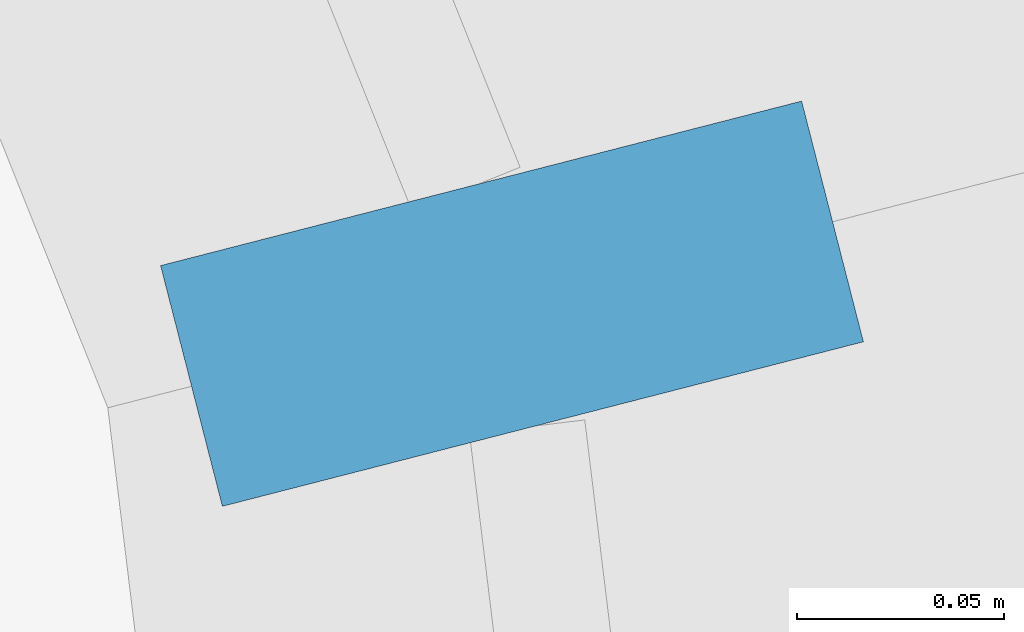
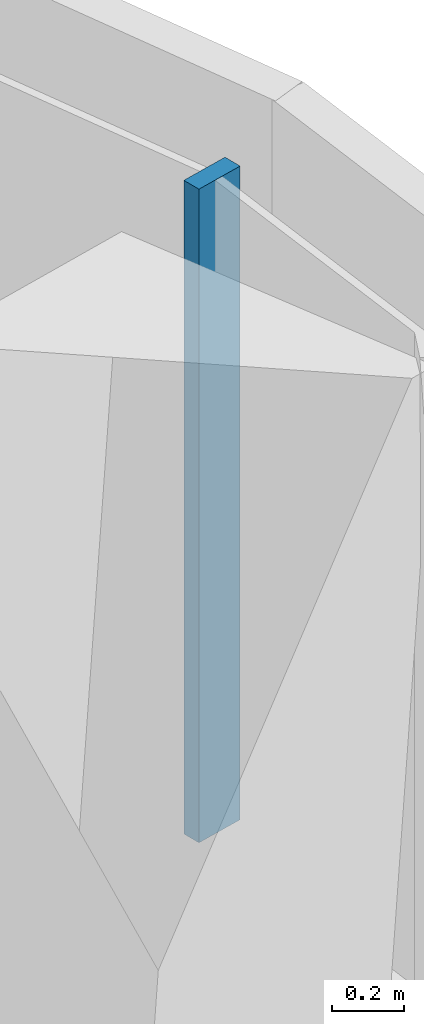
# One storey, part 9 of 32: 1 member, 1 element without a shape of its own.
"""IFC4 building model written with IfcOpenShell, lengths in metres."""

from ifc_helpers import new_model, si_unit, direction, frame, origin, origin_2d, place, context, subcontext, project, spatial, rectangle, extrude, material, layer, layer_set, material_profile, profile_set, type_object, element, aggregate, save


model = new_model("IFC4")

# Units and contexts
model_context = context("Model", 3, precision=1e-05, world=origin(), true_north=direction((0.0, 1.0)))
body_context = subcontext(model_context, "Body", "Model", "MODEL_VIEW")
ifc_project = project(units=[si_unit("LENGTHUNIT", "METRE"), si_unit("AREAUNIT", "SQUARE_METRE"), si_unit("VOLUMEUNIT", "CUBIC_METRE"), si_unit("PLANEANGLEUNIT", "RADIAN"), si_unit("MASSUNIT", "GRAM", prefix="KILO")], contexts=[model_context])

# Site, building, storey
site_placement = place(None, origin())
site = spatial("IfcSite", under=ifc_project, at=site_placement, CompositionType="ELEMENT")
building_placement = place(site_placement, origin())
building = spatial("IfcBuilding", under=site, at=building_placement, Name="Tamarind Cross Interchange Tower", CompositionType="ELEMENT")
storey_placement = place(building_placement, frame((0.0, 0.0, 113.5)))
storey = spatial("IfcBuildingStorey", under=building, at=storey_placement, Name="L27", CompositionType="ELEMENT", Elevation=113.5)

# Curtain wall, member
ifc_material = material(Name="Aluminium 6063-T6", Category="aluminium")
ifc_layer = layer(ifc_material, 0.159912109375)
ifc_layer_set = layer_set([ifc_layer], Name="Aluminium 6063-T6")
curtain_wall_type = type_object("IfcCurtainWallType", Name="Office curtain wall, 9.0 m bays", PredefinedType="NOTDEFINED", material=ifc_layer_set)
curtain_wall_placement = place(storey_placement, origin())
curtain_wall = element("IfcCurtainWall", 1, at=curtain_wall_placement, inside=storey, type_object=curtain_wall_type, Name="CWS-L27-05", PredefinedType="NOTDEFINED")
ifc_material_profile = material_profile(ifc_material, rectangle(XDim=0.06005859375, YDim=0.159912109375, at=origin_2d()), Name="Mullion CW1")
ifc_profile_set = profile_set([ifc_material_profile], Name="Aluminium 6063-T6")
member_type = type_object("IfcMemberType", Name="Mullion CW1", PredefinedType="MULLION", material=ifc_profile_set)
member_placement = place(storey_placement, frame((15.72119140625, -42.828369140625, 1.39990234375), z_axis=(0.0, 0.0, 1.0), x_axis=(-0.248584092702, 0.968610318371, 0.0)))
member = element("IfcMember", 2, at=member_placement, type_object=member_type, Name="CWM-L27-05-00", PredefinedType="MULLION", context=body_context, shape_type="SweptSolid", body=[
    extrude(rectangle(XDim=0.06005859375, YDim=0.159912109375, at=origin_2d()), origin(), (0.0, 0.0, 1.0), 2.210205078125),
])
aggregate(curtain_wall, [member])

save(model, "model.ifc")
